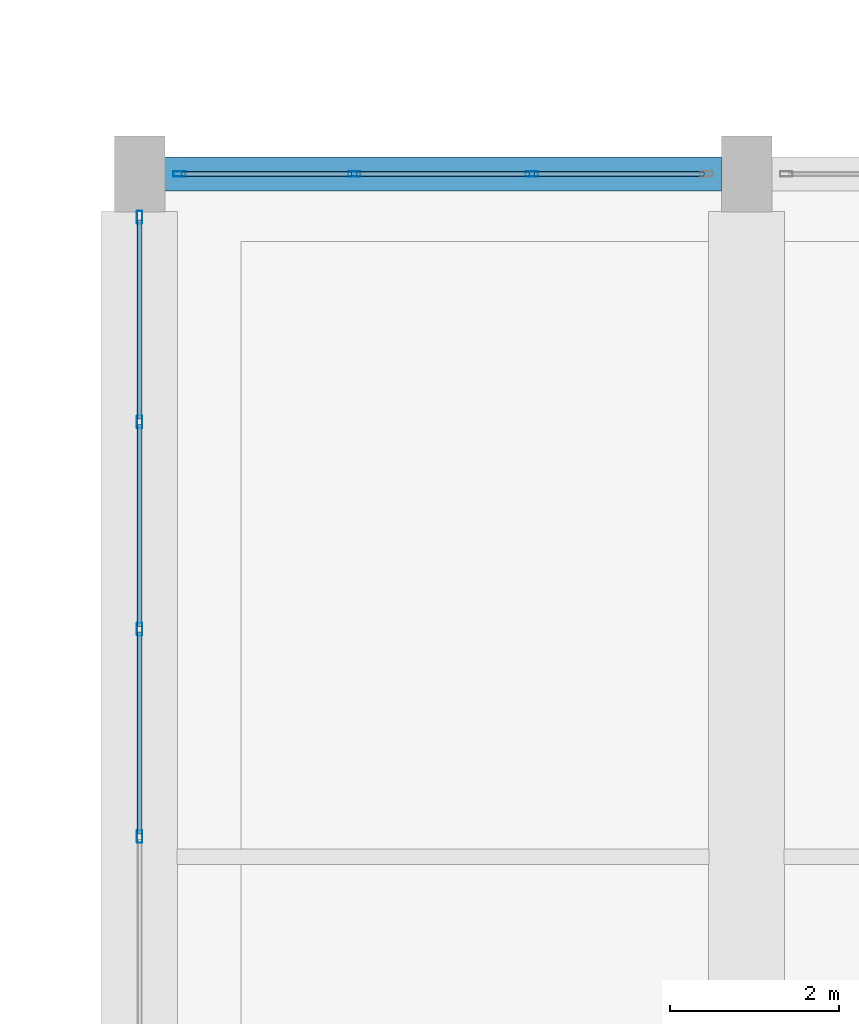
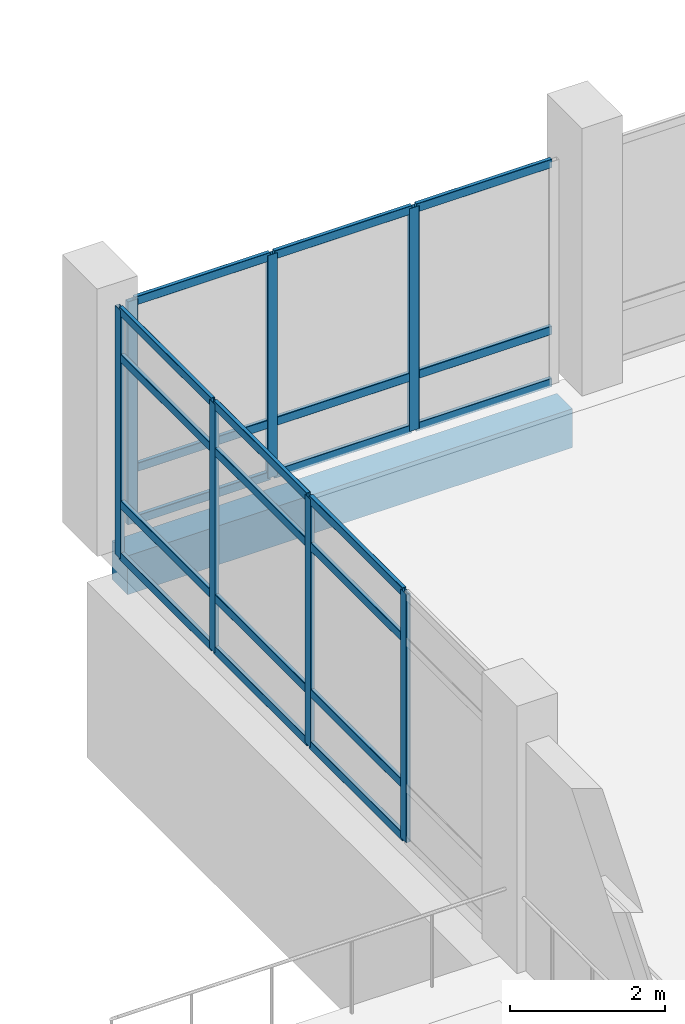
# One storey, part 27 of 158: 28 members, 1 beam, 2 elements without a shape of their own.
"""IFC4 building model written with IfcOpenShell, lengths in metres."""

from ifc_helpers import new_model, si_unit, direction, frame, origin, origin_2d, place, context, subcontext, project, spatial, rectangle, hollow_rectangle, extrude, material, material_profile, profile_set, type_object, element, aggregate, save


model = new_model("IFC4")

# Units and contexts
model_context = context("Model", 3, precision=1e-05, world=origin(), true_north=direction((0.0, 1.0)))
body_context = subcontext(model_context, "Body", "Model", "MODEL_VIEW")
ifc_project = project(units=[si_unit("LENGTHUNIT", "METRE"), si_unit("AREAUNIT", "SQUARE_METRE"), si_unit("VOLUMEUNIT", "CUBIC_METRE"), si_unit("PLANEANGLEUNIT", "RADIAN"), si_unit("MASSUNIT", "GRAM", prefix="KILO")], contexts=[model_context])

# Site, building, storey
site_placement = place(None, origin())
site = spatial("IfcSite", under=ifc_project, at=site_placement, CompositionType="ELEMENT")
building_placement = place(site_placement, origin())
building = spatial("IfcBuilding", under=site, at=building_placement, Name="Lusvemor Sports Hall", CompositionType="ELEMENT")
storey_placement = place(building_placement, frame((0.0, 0.0, 10.800048828125)))
storey = spatial("IfcBuildingStorey", under=building, at=storey_placement, Name="L02", CompositionType="ELEMENT", Elevation=10.800048828125)

# Curtain wall, members
ifc_material_1 = material(Name="Thermally broken bronze-anodized aluminium", Category="aluminium")
curtain_wall_type = type_object("IfcCurtainWallType", Name="CW_COURT_C", PredefinedType="NOTDEFINED", material=ifc_material_1)
curtain_wall_1_placement = place(storey_placement, origin())
curtain_wall_1 = element("IfcCurtainWall", 1, at=curtain_wall_1_placement, inside=storey, type_object=curtain_wall_type, Name="Curtain Wall CW-V2N-L02-0", PredefinedType="NOTDEFINED")
ifc_material_2 = material(Name="Thermally broken bronze-anodized aluminium", Category="aluminium")
ifc_material_profile_1 = material_profile(ifc_material_2, hollow_rectangle(XDim=0.06494140625, YDim=0.14990234375, WallThickness=0.00390625, InnerFilletRadius=0.00390625, OuterFilletRadius=0.008056640625, at=origin_2d()), Name="CWMUL150x65x4")
ifc_profile_set_1 = profile_set([ifc_material_profile_1], Name="Thermally broken bronze-anodized aluminium")
member_type_1 = type_object("IfcMemberType", Name="CW_MUL_B", PredefinedType="MULLION", material=ifc_profile_set_1)
member_1_placement = place(storey_placement, frame((119.2724609375, 39.60009765625, 0.0), z_axis=(0.0, 0.0, 1.0), x_axis=(0.0, 1.0, 0.0)))
member_1 = element("IfcMember", 2, at=member_1_placement, type_object=member_type_1, Name="CW03 mullion 1", PredefinedType="MULLION", context=body_context, shape_type="SweptSolid", body=[
    extrude(hollow_rectangle(XDim=0.06494140625, YDim=0.14990234375, WallThickness=0.00390625, InnerFilletRadius=0.00390625, OuterFilletRadius=0.008056640625, at=origin_2d()), origin(), (0.0, 0.0, 1.0), 3.5),
])
member_2_placement = place(storey_placement, frame((121.3466796875, 39.60009765625, 0.0), z_axis=(0.0, 0.0, 1.0), x_axis=(0.0, 1.0, 0.0)))
member_2 = element("IfcMember", 3, at=member_2_placement, type_object=member_type_1, Name="CW03 mullion 2", PredefinedType="MULLION", context=body_context, shape_type="SweptSolid", body=[
    extrude(hollow_rectangle(XDim=0.06494140625, YDim=0.14990234375, WallThickness=0.00390625, InnerFilletRadius=0.00390625, OuterFilletRadius=0.008056640625, at=origin_2d()), origin(), (0.0, 0.0, 1.0), 3.5),
])
member_3_placement = place(storey_placement, frame((123.453369140625, 39.60009765625, 0.0), z_axis=(0.0, 0.0, 1.0), x_axis=(0.0, 1.0, 0.0)))
member_3 = element("IfcMember", 4, at=member_3_placement, type_object=member_type_1, Name="CW03 mullion 3", PredefinedType="MULLION", context=body_context, shape_type="SweptSolid", body=[
    extrude(hollow_rectangle(XDim=0.06494140625, YDim=0.14990234375, WallThickness=0.00390625, InnerFilletRadius=0.00390625, OuterFilletRadius=0.008056640625, at=origin_2d()), origin(), (0.0, 0.0, 1.0), 3.5),
])

curtain_wall_2_placement = place(storey_placement, origin())
curtain_wall_2 = element("IfcCurtainWall", 5, at=curtain_wall_2_placement, inside=storey, type_object=curtain_wall_type, Name="Curtain Wall CW-V2W-L02-3", PredefinedType="NOTDEFINED")
member_4_placement = place(storey_placement, frame((118.800048828125, 31.739990234375, -0.050048828125), z_axis=(0.0, 0.0, 1.0), x_axis=(-1.0, 0.0, 0.0)))
member_4 = element("IfcMember", 6, at=member_4_placement, type_object=member_type_1, Name="CW03 mullion 2", PredefinedType="MULLION", context=body_context, shape_type="SweptSolid", body=[
    extrude(hollow_rectangle(XDim=0.06494140625, YDim=0.14990234375, WallThickness=0.00390625, InnerFilletRadius=0.00390625, OuterFilletRadius=0.008056640625, at=origin_2d()), origin(), (0.0, 0.0, 1.0), 3.89990234375),
])
member_5_placement = place(storey_placement, frame((118.800048828125, 34.199951171875, -0.050048828125), z_axis=(0.0, 0.0, 1.0), x_axis=(-1.0, 0.0, 0.0)))
member_5 = element("IfcMember", 7, at=member_5_placement, type_object=member_type_1, Name="CW03 mullion 3", PredefinedType="MULLION", context=body_context, shape_type="SweptSolid", body=[
    extrude(hollow_rectangle(XDim=0.06494140625, YDim=0.14990234375, WallThickness=0.00390625, InnerFilletRadius=0.00390625, OuterFilletRadius=0.008056640625, at=origin_2d()), origin(), (0.0, 0.0, 1.0), 3.89990234375),
])
member_6_placement = place(storey_placement, frame((118.800048828125, 36.659912109375, -0.050048828125), z_axis=(0.0, 0.0, 1.0), x_axis=(-1.0, 0.0, 0.0)))
member_6 = element("IfcMember", 8, at=member_6_placement, type_object=member_type_1, Name="CW03 mullion 4", PredefinedType="MULLION", context=body_context, shape_type="SweptSolid", body=[
    extrude(hollow_rectangle(XDim=0.06494140625, YDim=0.14990234375, WallThickness=0.00390625, InnerFilletRadius=0.00390625, OuterFilletRadius=0.008056640625, at=origin_2d()), origin(), (0.0, 0.0, 1.0), 3.89990234375),
])
member_7_placement = place(storey_placement, frame((118.800048828125, 39.08740234375, -0.050048828125), z_axis=(0.0, 0.0, 1.0), x_axis=(-1.0, 0.0, 0.0)))
member_7 = element("IfcMember", 9, at=member_7_placement, type_object=member_type_1, Name="CW03 mullion 5", PredefinedType="MULLION", context=body_context, shape_type="SweptSolid", body=[
    extrude(hollow_rectangle(XDim=0.06494140625, YDim=0.14990234375, WallThickness=0.00390625, InnerFilletRadius=0.00390625, OuterFilletRadius=0.008056640625, at=origin_2d()), origin(), (0.0, 0.0, 1.0), 3.89990234375),
])

# Member
ifc_material_3 = material(Name="Thermally broken bronze-anodized aluminium", Category="aluminium")
ifc_material_profile_2 = material_profile(ifc_material_3, hollow_rectangle(XDim=0.06005859375, YDim=0.135009765625, WallThickness=0.00390625, InnerFilletRadius=0.00390625, OuterFilletRadius=0.008056640625, at=origin_2d()), Name="CWTRN135x60x4")
ifc_profile_set_2 = profile_set([ifc_material_profile_2], Name="Thermally broken bronze-anodized aluminium")
member_type_2 = type_object("IfcMemberType", Name="CW_TRN_B", PredefinedType="USERDEFINED", material=ifc_profile_set_2)
member_8_placement = place(storey_placement, frame((119.304931640625, 39.60009765625, 0.030029296875), z_axis=(1.0, 0.0, 0.0), x_axis=(0.0, 1.0, 0.0)))
member_8 = element("IfcMember", 10, at=member_8_placement, type_object=member_type_2, Name="CW03 transom 1.1", ObjectType="TRANSOM", PredefinedType="USERDEFINED", context=body_context, shape_type="SweptSolid", body=[
    extrude(hollow_rectangle(XDim=0.06005859375, YDim=0.135009765625, WallThickness=0.00390625, InnerFilletRadius=0.00390625, OuterFilletRadius=0.008056640625, at=origin_2d()), origin(), (0.0, 0.0, 1.0), 2.00927734375),
])

member_9_placement = place(storey_placement, frame((119.304931640625, 39.60009765625, 0.849853515625), z_axis=(1.0, 0.0, 0.0), x_axis=(0.0, 1.0, 0.0)))
member_9 = element("IfcMember", 11, at=member_9_placement, type_object=member_type_2, Name="CW03 transom 1.2", ObjectType="TRANSOM", PredefinedType="USERDEFINED", context=body_context, shape_type="SweptSolid", body=[
    extrude(hollow_rectangle(XDim=0.06005859375, YDim=0.135009765625, WallThickness=0.00390625, InnerFilletRadius=0.00390625, OuterFilletRadius=0.008056640625, at=origin_2d()), origin(), (0.0, 0.0, 1.0), 2.00927734375),
])

member_10_placement = place(storey_placement, frame((119.304931640625, 39.60009765625, 3.469970703125), z_axis=(1.0, 0.0, 0.0), x_axis=(0.0, 1.0, 0.0)))
member_10 = element("IfcMember", 12, at=member_10_placement, type_object=member_type_2, Name="CW03 transom 1.3", ObjectType="TRANSOM", PredefinedType="USERDEFINED", context=body_context, shape_type="SweptSolid", body=[
    extrude(hollow_rectangle(XDim=0.06005859375, YDim=0.135009765625, WallThickness=0.00390625, InnerFilletRadius=0.00390625, OuterFilletRadius=0.008056640625, at=origin_2d()), origin(), (0.0, 0.0, 1.0), 2.00927734375),
])

member_11_placement = place(storey_placement, frame((121.379150390625, 39.60009765625, 0.030029296875), z_axis=(1.0, 0.0, 0.0), x_axis=(0.0, 1.0, 0.0)))
member_11 = element("IfcMember", 13, at=member_11_placement, type_object=member_type_2, Name="CW03 transom 2.1", ObjectType="TRANSOM", PredefinedType="USERDEFINED", context=body_context, shape_type="SweptSolid", body=[
    extrude(hollow_rectangle(XDim=0.06005859375, YDim=0.135009765625, WallThickness=0.00390625, InnerFilletRadius=0.00390625, OuterFilletRadius=0.008056640625, at=origin_2d()), origin(), (0.0, 0.0, 1.0), 2.041748046875),
])

member_12_placement = place(storey_placement, frame((121.379150390625, 39.60009765625, 0.849853515625), z_axis=(1.0, 0.0, 0.0), x_axis=(0.0, 1.0, 0.0)))
member_12 = element("IfcMember", 14, at=member_12_placement, type_object=member_type_2, Name="CW03 transom 2.2", ObjectType="TRANSOM", PredefinedType="USERDEFINED", context=body_context, shape_type="SweptSolid", body=[
    extrude(hollow_rectangle(XDim=0.06005859375, YDim=0.135009765625, WallThickness=0.00390625, InnerFilletRadius=0.00390625, OuterFilletRadius=0.008056640625, at=origin_2d()), origin(), (0.0, 0.0, 1.0), 2.041748046875),
])

member_13_placement = place(storey_placement, frame((121.379150390625, 39.60009765625, 3.469970703125), z_axis=(1.0, 0.0, 0.0), x_axis=(0.0, 1.0, 0.0)))
member_13 = element("IfcMember", 15, at=member_13_placement, type_object=member_type_2, Name="CW03 transom 2.3", ObjectType="TRANSOM", PredefinedType="USERDEFINED", context=body_context, shape_type="SweptSolid", body=[
    extrude(hollow_rectangle(XDim=0.06005859375, YDim=0.135009765625, WallThickness=0.00390625, InnerFilletRadius=0.00390625, OuterFilletRadius=0.008056640625, at=origin_2d()), origin(), (0.0, 0.0, 1.0), 2.041748046875),
])

member_14_placement = place(storey_placement, frame((123.48583984375, 39.60009765625, 0.030029296875), z_axis=(1.0, 0.0, 0.0), x_axis=(0.0, 1.0, 0.0)))
member_14 = element("IfcMember", 16, at=member_14_placement, type_object=member_type_2, Name="CW03 transom 3.1", ObjectType="TRANSOM", PredefinedType="USERDEFINED", context=body_context, shape_type="SweptSolid", body=[
    extrude(hollow_rectangle(XDim=0.06005859375, YDim=0.135009765625, WallThickness=0.00390625, InnerFilletRadius=0.00390625, OuterFilletRadius=0.008056640625, at=origin_2d()), origin(), (0.0, 0.0, 1.0), 2.00927734375),
])

member_15_placement = place(storey_placement, frame((123.48583984375, 39.60009765625, 0.849853515625), z_axis=(1.0, 0.0, 0.0), x_axis=(0.0, 1.0, 0.0)))
member_15 = element("IfcMember", 17, at=member_15_placement, type_object=member_type_2, Name="CW03 transom 3.2", ObjectType="TRANSOM", PredefinedType="USERDEFINED", context=body_context, shape_type="SweptSolid", body=[
    extrude(hollow_rectangle(XDim=0.06005859375, YDim=0.135009765625, WallThickness=0.00390625, InnerFilletRadius=0.00390625, OuterFilletRadius=0.008056640625, at=origin_2d()), origin(), (0.0, 0.0, 1.0), 2.00927734375),
])

member_16_placement = place(storey_placement, frame((123.48583984375, 39.60009765625, 3.469970703125), z_axis=(1.0, 0.0, 0.0), x_axis=(0.0, 1.0, 0.0)))
member_16 = element("IfcMember", 18, at=member_16_placement, type_object=member_type_2, Name="CW03 transom 3.3", ObjectType="TRANSOM", PredefinedType="USERDEFINED", context=body_context, shape_type="SweptSolid", body=[
    extrude(hollow_rectangle(XDim=0.06005859375, YDim=0.135009765625, WallThickness=0.00390625, InnerFilletRadius=0.00390625, OuterFilletRadius=0.008056640625, at=origin_2d()), origin(), (0.0, 0.0, 1.0), 2.00927734375),
])

aggregate(curtain_wall_1, [member_1, member_2, member_3, member_8, member_9, member_10, member_11, member_12, member_13, member_14, member_15, member_16])

member_17_placement = place(storey_placement, frame((118.800048828125, 31.7724609375, -0.02001953125), z_axis=(0.0, 1.0, 0.0), x_axis=(-1.0, 0.0, 0.0)))
member_17 = element("IfcMember", 19, at=member_17_placement, type_object=member_type_2, Name="CW03 transom 2.1", ObjectType="TRANSOM", PredefinedType="USERDEFINED", context=body_context, shape_type="SweptSolid", body=[
    extrude(hollow_rectangle(XDim=0.06005859375, YDim=0.135009765625, WallThickness=0.00390625, InnerFilletRadius=0.00390625, OuterFilletRadius=0.008056640625, at=origin_2d()), origin(), (0.0, 0.0, 1.0), 2.39501953125),
])

member_18_placement = place(storey_placement, frame((118.800048828125, 31.7724609375, 0.800048828125), z_axis=(0.0, 1.0, 0.0), x_axis=(-1.0, 0.0, 0.0)))
member_18 = element("IfcMember", 20, at=member_18_placement, type_object=member_type_2, Name="CW03 transom 2.2", ObjectType="TRANSOM", PredefinedType="USERDEFINED", context=body_context, shape_type="SweptSolid", body=[
    extrude(hollow_rectangle(XDim=0.06005859375, YDim=0.135009765625, WallThickness=0.00390625, InnerFilletRadius=0.00390625, OuterFilletRadius=0.008056640625, at=origin_2d()), origin(), (0.0, 0.0, 1.0), 2.39501953125),
])

member_19_placement = place(storey_placement, frame((118.800048828125, 31.7724609375, 3.099853515625), z_axis=(0.0, 1.0, 0.0), x_axis=(-1.0, 0.0, 0.0)))
member_19 = element("IfcMember", 21, at=member_19_placement, type_object=member_type_2, Name="CW03 transom 2.3", ObjectType="TRANSOM", PredefinedType="USERDEFINED", context=body_context, shape_type="SweptSolid", body=[
    extrude(hollow_rectangle(XDim=0.06005859375, YDim=0.135009765625, WallThickness=0.00390625, InnerFilletRadius=0.00390625, OuterFilletRadius=0.008056640625, at=origin_2d()), origin(), (0.0, 0.0, 1.0), 2.39501953125),
])

member_20_placement = place(storey_placement, frame((118.800048828125, 31.7724609375, 3.820068359375), z_axis=(0.0, 1.0, 0.0), x_axis=(-1.0, 0.0, 0.0)))
member_20 = element("IfcMember", 22, at=member_20_placement, type_object=member_type_2, Name="CW03 transom 2.4", ObjectType="TRANSOM", PredefinedType="USERDEFINED", context=body_context, shape_type="SweptSolid", body=[
    extrude(hollow_rectangle(XDim=0.06005859375, YDim=0.135009765625, WallThickness=0.00390625, InnerFilletRadius=0.00390625, OuterFilletRadius=0.008056640625, at=origin_2d()), origin(), (0.0, 0.0, 1.0), 2.39501953125),
])

member_21_placement = place(storey_placement, frame((118.800048828125, 34.232421875, -0.02001953125), z_axis=(0.0, 1.0, 0.0), x_axis=(-1.0, 0.0, 0.0)))
member_21 = element("IfcMember", 23, at=member_21_placement, type_object=member_type_2, Name="CW03 transom 3.1", ObjectType="TRANSOM", PredefinedType="USERDEFINED", context=body_context, shape_type="SweptSolid", body=[
    extrude(hollow_rectangle(XDim=0.06005859375, YDim=0.135009765625, WallThickness=0.00390625, InnerFilletRadius=0.00390625, OuterFilletRadius=0.008056640625, at=origin_2d()), origin(), (0.0, 0.0, 1.0), 2.39501953125),
])

member_22_placement = place(storey_placement, frame((118.800048828125, 34.232421875, 0.800048828125), z_axis=(0.0, 1.0, 0.0), x_axis=(-1.0, 0.0, 0.0)))
member_22 = element("IfcMember", 24, at=member_22_placement, type_object=member_type_2, Name="CW03 transom 3.2", ObjectType="TRANSOM", PredefinedType="USERDEFINED", context=body_context, shape_type="SweptSolid", body=[
    extrude(hollow_rectangle(XDim=0.06005859375, YDim=0.135009765625, WallThickness=0.00390625, InnerFilletRadius=0.00390625, OuterFilletRadius=0.008056640625, at=origin_2d()), origin(), (0.0, 0.0, 1.0), 2.39501953125),
])

member_23_placement = place(storey_placement, frame((118.800048828125, 34.232421875, 3.099853515625), z_axis=(0.0, 1.0, 0.0), x_axis=(-1.0, 0.0, 0.0)))
member_23 = element("IfcMember", 25, at=member_23_placement, type_object=member_type_2, Name="CW03 transom 3.3", ObjectType="TRANSOM", PredefinedType="USERDEFINED", context=body_context, shape_type="SweptSolid", body=[
    extrude(hollow_rectangle(XDim=0.06005859375, YDim=0.135009765625, WallThickness=0.00390625, InnerFilletRadius=0.00390625, OuterFilletRadius=0.008056640625, at=origin_2d()), origin(), (0.0, 0.0, 1.0), 2.39501953125),
])

member_24_placement = place(storey_placement, frame((118.800048828125, 34.232421875, 3.820068359375), z_axis=(0.0, 1.0, 0.0), x_axis=(-1.0, 0.0, 0.0)))
member_24 = element("IfcMember", 26, at=member_24_placement, type_object=member_type_2, Name="CW03 transom 3.4", ObjectType="TRANSOM", PredefinedType="USERDEFINED", context=body_context, shape_type="SweptSolid", body=[
    extrude(hollow_rectangle(XDim=0.06005859375, YDim=0.135009765625, WallThickness=0.00390625, InnerFilletRadius=0.00390625, OuterFilletRadius=0.008056640625, at=origin_2d()), origin(), (0.0, 0.0, 1.0), 2.39501953125),
])

member_25_placement = place(storey_placement, frame((118.800048828125, 36.6923828125, -0.02001953125), z_axis=(0.0, 1.0, 0.0), x_axis=(-1.0, 0.0, 0.0)))
member_25 = element("IfcMember", 27, at=member_25_placement, type_object=member_type_2, Name="CW03 transom 4.1", ObjectType="TRANSOM", PredefinedType="USERDEFINED", context=body_context, shape_type="SweptSolid", body=[
    extrude(hollow_rectangle(XDim=0.06005859375, YDim=0.135009765625, WallThickness=0.00390625, InnerFilletRadius=0.00390625, OuterFilletRadius=0.008056640625, at=origin_2d()), origin(), (0.0, 0.0, 1.0), 2.362548828125),
])

member_26_placement = place(storey_placement, frame((118.800048828125, 36.6923828125, 0.800048828125), z_axis=(0.0, 1.0, 0.0), x_axis=(-1.0, 0.0, 0.0)))
member_26 = element("IfcMember", 28, at=member_26_placement, type_object=member_type_2, Name="CW03 transom 4.2", ObjectType="TRANSOM", PredefinedType="USERDEFINED", context=body_context, shape_type="SweptSolid", body=[
    extrude(hollow_rectangle(XDim=0.06005859375, YDim=0.135009765625, WallThickness=0.00390625, InnerFilletRadius=0.00390625, OuterFilletRadius=0.008056640625, at=origin_2d()), origin(), (0.0, 0.0, 1.0), 2.362548828125),
])

member_27_placement = place(storey_placement, frame((118.800048828125, 36.6923828125, 3.099853515625), z_axis=(0.0, 1.0, 0.0), x_axis=(-1.0, 0.0, 0.0)))
member_27 = element("IfcMember", 29, at=member_27_placement, type_object=member_type_2, Name="CW03 transom 4.3", ObjectType="TRANSOM", PredefinedType="USERDEFINED", context=body_context, shape_type="SweptSolid", body=[
    extrude(hollow_rectangle(XDim=0.06005859375, YDim=0.135009765625, WallThickness=0.00390625, InnerFilletRadius=0.00390625, OuterFilletRadius=0.008056640625, at=origin_2d()), origin(), (0.0, 0.0, 1.0), 2.362548828125),
])

member_28_placement = place(storey_placement, frame((118.800048828125, 36.6923828125, 3.820068359375), z_axis=(0.0, 1.0, 0.0), x_axis=(-1.0, 0.0, 0.0)))
member_28 = element("IfcMember", 30, at=member_28_placement, type_object=member_type_2, Name="CW03 transom 4.4", ObjectType="TRANSOM", PredefinedType="USERDEFINED", context=body_context, shape_type="SweptSolid", body=[
    extrude(hollow_rectangle(XDim=0.06005859375, YDim=0.135009765625, WallThickness=0.00390625, InnerFilletRadius=0.00390625, OuterFilletRadius=0.008056640625, at=origin_2d()), origin(), (0.0, 0.0, 1.0), 2.362548828125),
])

aggregate(curtain_wall_2, [member_4, member_5, member_6, member_7, member_17, member_18, member_19, member_20, member_21, member_22, member_23, member_24, member_25, member_26, member_27, member_28])

# Beam
ifc_material_4 = material(Name="Concrete C40/50", Category="concrete")
ifc_material_profile_3 = material_profile(ifc_material_4, rectangle(XDim=0.39990234375, YDim=0.610107421875, at=origin_2d()), Name="RC400x610")
ifc_profile_set_3 = profile_set([ifc_material_profile_3], Name="Concrete C40/50")
beam_type = type_object("IfcBeamType", Name="SPAND_EXT_650", PredefinedType="SPANDREL", material=ifc_profile_set_3)
beam_placement = place(storey_placement, frame((119.095947265625, 39.60009765625, -0.655029296875), z_axis=(1.0, 0.0, 0.0), x_axis=(0.0, 1.0, 0.0)))
element("IfcBeam", 31, at=beam_placement, inside=storey, type_object=beam_type, Name="Beam L02 E:13-14", PredefinedType="SPANDREL", context=body_context, shape_type="SweptSolid", body=[
    extrude(rectangle(XDim=0.39990234375, YDim=0.610107421875, at=origin_2d()), origin(), (0.0, 0.0, 1.0), 6.608154296875),
])

save(model, "model.ifc")
